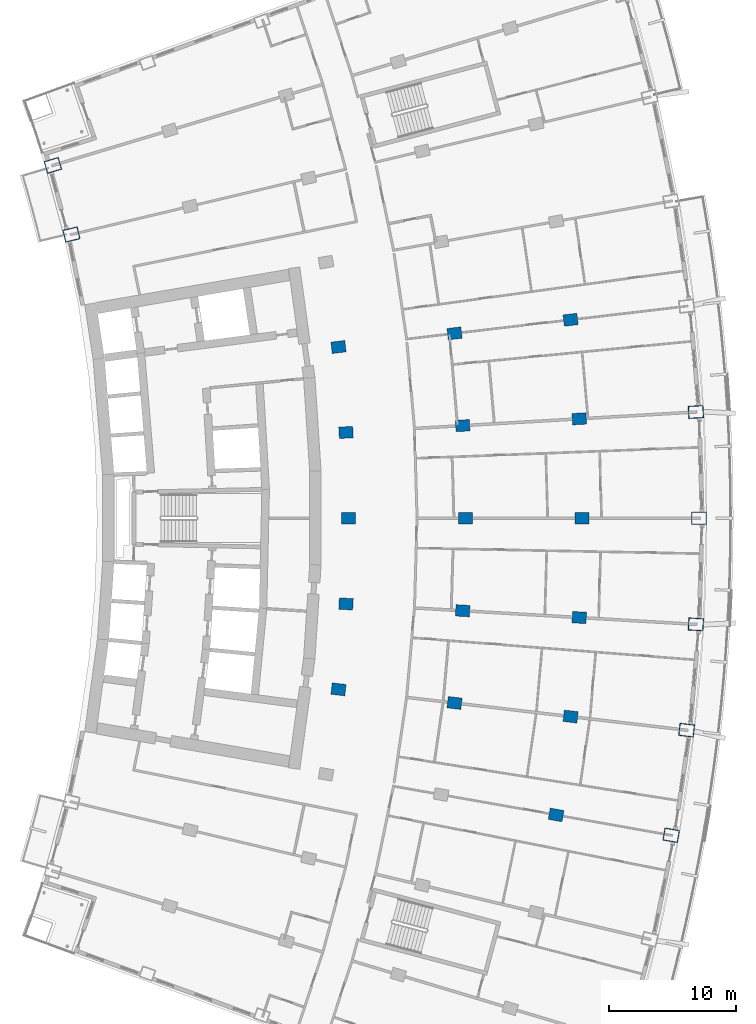
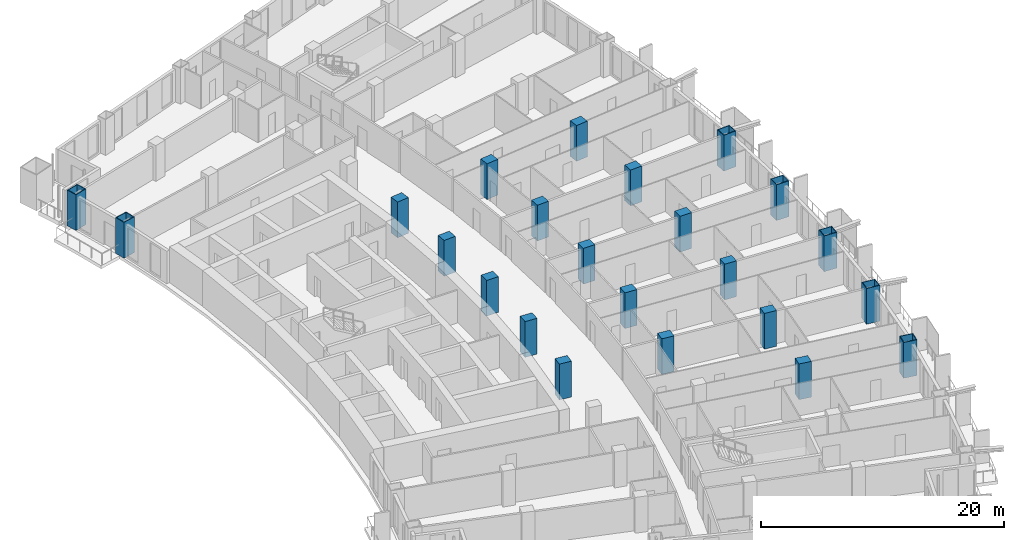
# One storey, part 6 of 25: 23 columns.
"""IFC4 building model written with IfcOpenShell, lengths in metres."""

from ifc_helpers import new_model, si_unit, direction, frame, origin, origin_2d, place, context, subcontext, project, spatial, rectangle, hollow_rectangle, extrude, material, material_profile, profile_set, type_object, element, save


model = new_model("IFC4")

# Units and contexts
model_context = context("Model", 3, precision=1e-05, world=origin(), true_north=direction((0.0, 1.0)))
body_context = subcontext(model_context, "Body", "Model", "MODEL_VIEW")
ifc_project = project(units=[si_unit("LENGTHUNIT", "METRE"), si_unit("AREAUNIT", "SQUARE_METRE"), si_unit("VOLUMEUNIT", "CUBIC_METRE"), si_unit("PLANEANGLEUNIT", "RADIAN"), si_unit("MASSUNIT", "GRAM", prefix="KILO")], contexts=[model_context])

# Site, building, storey
site_placement = place(None, origin())
site = spatial("IfcSite", under=ifc_project, at=site_placement, CompositionType="ELEMENT")
building_placement = place(site_placement, origin())
building = spatial("IfcBuilding", under=site, at=building_placement, Name="Alderwake Tower", CompositionType="ELEMENT")
storey_placement = place(building_placement, frame((0.0, 0.0, 35.60009765625)))
storey = spatial("IfcBuildingStorey", under=building, at=storey_placement, Name="L07", CompositionType="ELEMENT", Elevation=35.60009765625)

# Columns
ifc_material_1 = material(Name="Concrete C70/85", Category="concrete")
ifc_material_profile_1 = material_profile(ifc_material_1, rectangle(XDim=0.89990234375, YDim=1.10009765625, at=origin_2d()), Name="RC 1100X900")
ifc_profile_set_1 = profile_set([ifc_material_profile_1], Name="Concrete C70/85")
column_type_1 = type_object("IfcColumnType", Name="Interior column Z1", PredefinedType="COLUMN", material=ifc_profile_set_1)
for number, where, z_axis, x_axis, name in (
    (1, (52.150390625, 37.634765625, 0.0), (0.0, 0.0, 1.0), (0.174108800747, 0.984726421654, 0.0), "Column R04-C4"),
    (2, (35.0126953125, 47.5205078125, 0.0), (0.0, 0.0, 1.0), (0.116402054316, 0.993202175668, 0.0), "Column R05-C2"),
    (3, (44.150390625, 46.44970703125, 0.0), (0.0, 0.0, 1.0), (0.116402054316, 0.993202175668, 0.0), "Column R05-C3"),
    (4, (53.28759765625, 45.37890625, 0.0), (0.0, 0.0, 1.0), (0.116402054316, 0.993202175668, 0.0), "Column R05-C4"),
    (5, (35.60302734375, 54.248779296875, 0.0), (0.0, 0.0, 1.0), (0.058301061284, 0.998299046505, 0.0), "Column R06-C2"),
    (6, (44.787353515625, 53.71240234375, 0.0), (0.0, 0.0, 1.0), (0.058299318924, 0.998299148258, 0.0), "Column R06-C3"),
    (7, (53.9716796875, 53.176025390625, 0.0), (0.0, 0.0, 1.0), (0.058301061284, 0.998299046505, 0.0), "Column R06-C4"),
    (8, (35.800048828125, 61.0, 0.0), (0.0, 0.0, 1.0), (0.0, 1.0, 0.0), "Column R07-C2"),
    (9, (45.0, 61.0, 0.0), (0.0, 0.0, 1.0), (0.0, 1.0, 0.0), "Column R07-C3"),
    (10, (54.199951171875, 61.0, 0.0), (0.0, 0.0, 1.0), (0.0, 1.0, 0.0), "Column R07-C4"),
    (11, (35.60302734375, 67.751220703125, 0.0), (0.0, 0.0, 1.0), (-0.058301061284, 0.998299046505, 0.0), "Column R08-C2"),
    (12, (44.787353515625, 68.28759765625, 0.0), (0.0, 0.0, 1.0), (-0.058299318924, 0.998299148258, 0.0), "Column R08-C3"),
    (13, (53.9716796875, 68.823974609375, 0.0), (0.0, 0.0, 1.0), (-0.058301061284, 0.998299046505, 0.0), "Column R08-C4"),
    (14, (35.0126953125, 74.4794921875, 0.0), (0.0, 0.0, 1.0), (-0.116402054316, 0.993202175668, 0.0), "Column R09-C2"),
    (15, (44.150390625, 75.55029296875, 0.0), (0.0, 0.0, 1.0), (-0.116402054316, 0.993202175668, 0.0), "Column R09-C3"),
    (16, (53.28759765625, 76.62109375, 0.0), (0.0, 0.0, 1.0), (-0.116402054316, 0.993202175668, 0.0), "Column R09-C4"),
):
    element("IfcColumn", number, at=place(storey_placement, frame(where, z_axis=z_axis, x_axis=x_axis)), inside=storey, type_object=column_type_1, Name=name, PredefinedType="COLUMN", context=body_context, shape_type="SweptSolid", body=[
        extrude(rectangle(XDim=0.89990234375, YDim=1.10009765625, at=origin_2d()), origin(), (0.0, 0.0, 1.0), 3.599853515625),
    ])
ifc_material_2 = material(Name="Steel ASTM A572 Grade 50 concrete filled C70/85", Category="concrete")
ifc_material_profile_2 = material_profile(ifc_material_2, hollow_rectangle(XDim=1.0, YDim=1.199951171875, WallThickness=0.06005859375, at=origin_2d()), Name="BOX 1200X1000X60")
ifc_profile_set_2 = profile_set([ifc_material_profile_2], Name="Steel ASTM A572 Grade 50 concrete filled C70/85")
column_type_2 = type_object("IfcColumnType", Name="Perimeter column Z1", PredefinedType="COLUMN", material=ifc_profile_set_2)
for number, where, z_axis, x_axis, name in (
    (17, (61.209716796875, 36.032958984375, 0.0), (0.0, 0.0, 1.0), (0.174108800747, 0.984726421654, 0.0), "Column R04-C5"),
    (18, (62.42529296875, 44.307861328125, 0.0), (0.0, 0.0, 1.0), (0.116402054316, 0.993202175668, 0.0), "Column R05-C5"),
    (19, (63.156005859375, 52.6396484375, 0.0), (0.0, 0.0, 1.0), (0.058301061284, 0.998299046505, 0.0), "Column R06-C5"),
    (20, (63.39990234375, 61.0, 0.0), (0.0, 0.0, 1.0), (0.0, 1.0, 0.0), "Column R07-C5"),
    (21, (63.156005859375, 69.3603515625, 0.0), (0.0, 0.0, 1.0), (-0.058301061284, 0.998299046505, 0.0), "Column R08-C5"),
    (22, (13.982177734375, 83.3359375, 0.0), (0.0, 0.0, 1.0), (-0.231221547198, 0.972901123502, 0.0), "Column R11-C0"),
    (23, (12.520263671875, 88.777099609375, 0.0), (0.0, 0.0, 1.0), (-0.287549418125, 0.957765802342, 0.0), "Column R12-C0"),
):
    element("IfcColumn", number, at=place(storey_placement, frame(where, z_axis=z_axis, x_axis=x_axis)), inside=storey, type_object=column_type_2, Name=name, PredefinedType="COLUMN", context=body_context, shape_type="SweptSolid", body=[
        extrude(hollow_rectangle(XDim=1.0, YDim=1.199951171875, WallThickness=0.06005859375, at=origin_2d()), origin(), (0.0, 0.0, 1.0), 3.599853515625),
    ])

save(model, "model.ifc")
